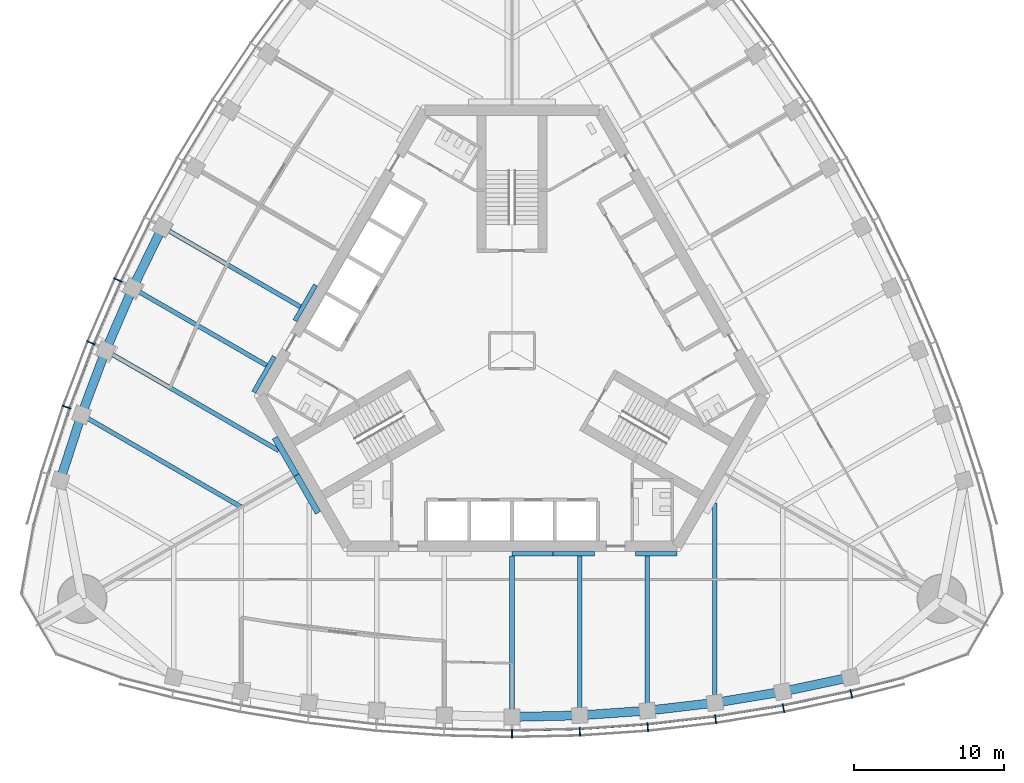
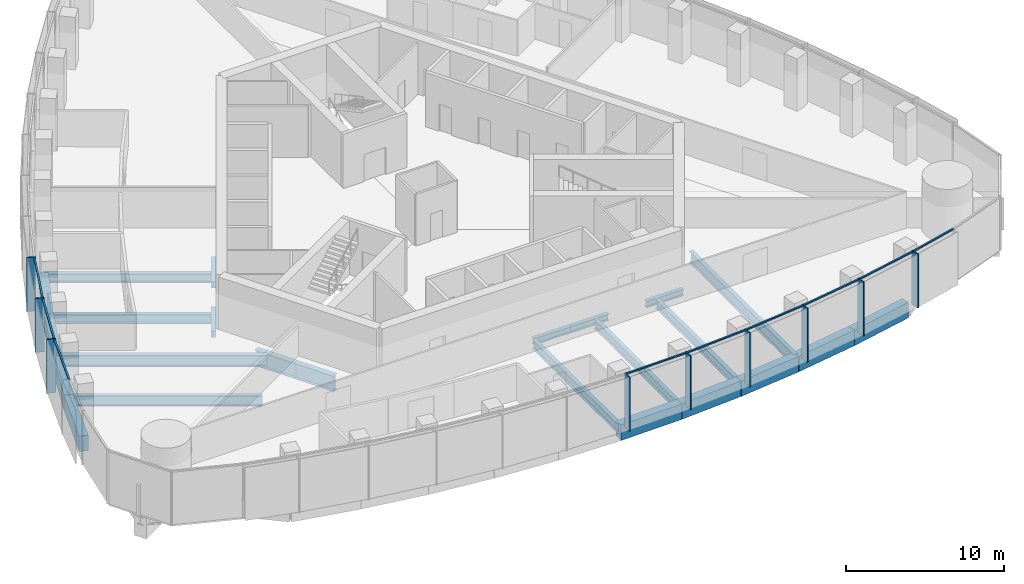
# One storey, part 3 of 19: 24 beams, 18 members, 2 elements without a shape of their own.
"""IFC4 building model written with IfcOpenShell, lengths in metres."""

from ifc_helpers import new_model, si_unit, direction, frame, origin, origin_2d, place, context, subcontext, project, spatial, rectangle, i_section, extrude, material, material_profile, profile_set, type_object, element, aggregate, save


model = new_model("IFC4")

# Units and contexts
model_context = context("Model", 3, precision=1e-05, world=origin(), true_north=direction((0.0, 1.0)))
body_context = subcontext(model_context, "Body", "Model", "MODEL_VIEW")
ifc_project = project(units=[si_unit("LENGTHUNIT", "METRE"), si_unit("AREAUNIT", "SQUARE_METRE"), si_unit("VOLUMEUNIT", "CUBIC_METRE"), si_unit("PLANEANGLEUNIT", "RADIAN"), si_unit("MASSUNIT", "GRAM", prefix="KILO")], contexts=[model_context])

# Site, building, storey
site_placement = place(None, origin())
site = spatial("IfcSite", under=ifc_project, at=site_placement, CompositionType="ELEMENT")
building_placement = place(site_placement, origin())
building = spatial("IfcBuilding", under=site, at=building_placement, Name="Trefoil Bronze Tower", CompositionType="ELEMENT")
storey_placement = place(building_placement, frame((0.0, 0.0, 227.5)))
storey = spatial("IfcBuildingStorey", under=building, at=storey_placement, Name="L52", CompositionType="ELEMENT", Elevation=227.5)

# Curtain wall, members
ifc_material_1 = material(Name="Tinted solar-control glass", Category="glass")
curtain_wall_type = type_object("IfcCurtainWallType", Name="Bronze office curtain wall", PredefinedType="USERDEFINED", material=ifc_material_1)
curtain_wall_1_placement = place(storey_placement, origin())
curtain_wall_1 = element("IfcCurtainWall", 1, at=curtain_wall_1_placement, inside=storey, type_object=curtain_wall_type, Name="CW-A L52 F1", ObjectType="CURTAIN WALL", PredefinedType="USERDEFINED")
ifc_material_2 = material(Name="Bronze-finish aluminium", Category="aluminium")
ifc_material_profile_1 = material_profile(ifc_material_2, rectangle(XDim=0.60009765625, YDim=0.080078125, at=origin_2d()), Name="CW-A mullion")
ifc_profile_set_1 = profile_set([ifc_material_profile_1], Name="Bronze-finish aluminium")
member_type_1 = type_object("IfcMemberType", Name="Bronze office curtain wall mullion", PredefinedType="MULLION", material=ifc_profile_set_1)
member_1_placement = place(storey_placement, frame((0.0, -25.45068359375, 0.0), z_axis=(0.0, 0.0, 1.0), x_axis=(0.0, 1.0, 0.0)))
member_1 = element("IfcMember", 2, at=member_1_placement, type_object=member_type_1, Name="CW-A L52 F1 mullion 7", PredefinedType="MULLION", context=body_context, shape_type="SweptSolid", body=[
    extrude(rectangle(XDim=0.60009765625, YDim=0.080078125, at=origin_2d()), origin(), (0.0, 0.0, 1.0), 4.179931640625),
])
member_2_placement = place(storey_placement, frame((4.513671875, -25.346923828125, 0.0), z_axis=(0.0, 0.0, 1.0), x_axis=(-0.045955542372, 0.998943485952, 0.0)))
member_2 = element("IfcMember", 3, at=member_2_placement, type_object=member_type_1, Name="CW-A L52 F1 mullion 8", PredefinedType="MULLION", context=body_context, shape_type="SweptSolid", body=[
    extrude(rectangle(XDim=0.60009765625, YDim=0.080078125, at=origin_2d()), origin(), (0.0, 0.0, 1.0), 4.179931640625),
])
member_3_placement = place(storey_placement, frame((9.027587890625, -25.03515625, 0.0), z_axis=(0.0, 0.0, 1.0), x_axis=(-0.091911396394, 0.995767189263, 0.0)))
member_3 = element("IfcMember", 4, at=member_3_placement, type_object=member_type_1, Name="CW-A L52 F1 mullion 9", PredefinedType="MULLION", context=body_context, shape_type="SweptSolid", body=[
    extrude(rectangle(XDim=0.60009765625, YDim=0.080078125, at=origin_2d()), origin(), (0.0, 0.0, 1.0), 4.179931640625),
])
member_4_placement = place(storey_placement, frame((13.541259765625, -24.51318359375, 0.0), z_axis=(0.0, 0.0, 1.0), x_axis=(-0.137867887204, 0.990450627582, 0.0)))
member_4 = element("IfcMember", 5, at=member_4_placement, type_object=member_type_1, Name="CW-A L52 F1 mullion 10", PredefinedType="MULLION", context=body_context, shape_type="SweptSolid", body=[
    extrude(rectangle(XDim=0.60009765625, YDim=0.080078125, at=origin_2d()), origin(), (0.0, 0.0, 1.0), 4.179931640625),
])
member_5_placement = place(storey_placement, frame((18.05517578125, -23.77783203125, 0.0), z_axis=(0.0, 0.0, 1.0), x_axis=(-0.183825368167, 0.982958917767, 0.0)))
member_5 = element("IfcMember", 6, at=member_5_placement, type_object=member_type_1, Name="CW-A L52 F1 mullion 11", PredefinedType="MULLION", context=body_context, shape_type="SweptSolid", body=[
    extrude(rectangle(XDim=0.60009765625, YDim=0.080078125, at=origin_2d()), origin(), (0.0, 0.0, 1.0), 4.179931640625),
])
member_6_placement = place(storey_placement, frame((22.568115234375, -22.82421875, 0.0), z_axis=(0.0, 0.0, 1.0), x_axis=(-0.227082662569, 0.973875487093, 0.0)))
member_6 = element("IfcMember", 7, at=member_6_placement, type_object=member_type_1, Name="CW-A L52 F1 mullion 12", PredefinedType="MULLION", context=body_context, shape_type="SweptSolid", body=[
    extrude(rectangle(XDim=0.60009765625, YDim=0.080078125, at=origin_2d()), origin(), (0.0, 0.0, 1.0), 4.179931640625),
])

curtain_wall_2_placement = place(storey_placement, origin())
curtain_wall_2 = element("IfcCurtainWall", 8, at=curtain_wall_2_placement, inside=storey, type_object=curtain_wall_type, Name="CW-A L52 F3", ObjectType="CURTAIN WALL", PredefinedType="USERDEFINED")
member_7_placement = place(storey_placement, frame((-26.19482421875, 4.699462890625, 0.0), z_axis=(0.0, 0.0, 1.0), x_axis=(0.908315380354, -0.418285990457, 0.0)))
member_7 = element("IfcMember", 9, at=member_7_placement, type_object=member_type_1, Name="CW-A L52 F3 mullion 9", PredefinedType="MULLION", context=body_context, shape_type="SweptSolid", body=[
    extrude(rectangle(XDim=0.60009765625, YDim=0.080078125, at=origin_2d()), origin(), (0.0, 0.0, 1.0), 4.179931640625),
])
member_8_placement = place(storey_placement, frame((-27.999755859375, 0.529541015625, 0.0), z_axis=(0.0, 0.0, 1.0), x_axis=(0.926689348282, -0.375828221106, 0.0)))
member_8 = element("IfcMember", 10, at=member_8_placement, type_object=member_type_1, Name="CW-A L52 F3 mullion 10", PredefinedType="MULLION", context=body_context, shape_type="SweptSolid", body=[
    extrude(rectangle(XDim=0.60009765625, YDim=0.080078125, at=origin_2d()), origin(), (0.0, 0.0, 1.0), 4.179931640625),
])
member_9_placement = place(storey_placement, frame((-29.619873046875, -3.747314453125, 0.0), z_axis=(0.0, 0.0, 1.0), x_axis=(0.943180077746, -0.332282020191, 0.0)))
member_9 = element("IfcMember", 11, at=member_9_placement, type_object=member_type_1, Name="CW-A L52 F3 mullion 11", PredefinedType="MULLION", context=body_context, shape_type="SweptSolid", body=[
    extrude(rectangle(XDim=0.60009765625, YDim=0.080078125, at=origin_2d()), origin(), (0.0, 0.0, 1.0), 4.179931640625),
])

# Member
ifc_material_3 = material(Name="Bronze-finish aluminium", Category="aluminium")
ifc_material_profile_2 = material_profile(ifc_material_3, rectangle(XDim=0.1201171875, YDim=0.10009765625, at=origin_2d()), Name="CW-A transom")
ifc_profile_set_2 = profile_set([ifc_material_profile_2], Name="Bronze-finish aluminium")
member_type_2 = type_object("IfcMemberType", Name="Bronze office curtain wall transom", PredefinedType="USERDEFINED", material=ifc_profile_set_2)
member_10_placement = place(storey_placement, frame((0.042236328125, -25.249755859375, 4.1298828125), z_axis=(0.999736131416, 0.022971015226, 0.0), x_axis=(-0.022971015226, 0.999736131416, 0.0)))
member_10 = element("IfcMember", 12, at=member_10_placement, type_object=member_type_2, Name="CW-A L52 F1 transom 7", ObjectType="TRANSOM", PredefinedType="USERDEFINED", context=body_context, shape_type="SweptSolid", body=[
    extrude(rectangle(XDim=0.1201171875, YDim=0.10009765625, at=origin_2d()), origin(), (0.0, 0.0, 1.0), 4.42138671875),
])

member_11_placement = place(storey_placement, frame((4.546875, -25.144287109375, 4.1298828125), z_axis=(0.997621320987, 0.06893257512, 0.0), x_axis=(-0.06893257512, 0.997621320987, 0.0)))
member_11 = element("IfcMember", 13, at=member_11_placement, type_object=member_type_2, Name="CW-A L52 F1 transom 8", ObjectType="TRANSOM", PredefinedType="USERDEFINED", context=body_context, shape_type="SweptSolid", body=[
    extrude(rectangle(XDim=0.1201171875, YDim=0.10009765625, at=origin_2d()), origin(), (0.0, 0.0, 1.0), 4.4306640625),
])

member_12_placement = place(storey_placement, frame((9.05126953125, -24.8310546875, 4.1298828125), z_axis=(0.993384885596, 0.114832352013, 0.0), x_axis=(-0.114832352013, 0.993384885596, 0.0)))
member_12 = element("IfcMember", 14, at=member_12_placement, type_object=member_type_2, Name="CW-A L52 F1 transom 9", ObjectType="TRANSOM", PredefinedType="USERDEFINED", context=body_context, shape_type="SweptSolid", body=[
    extrude(rectangle(XDim=0.1201171875, YDim=0.10009765625, at=origin_2d()), origin(), (0.0, 0.0, 1.0), 4.449951171875),
])

member_13_placement = place(storey_placement, frame((13.5556640625, -24.308349609375, 4.1298828125), z_axis=(0.986988367046, 0.160791676761, 0.0), x_axis=(-0.160791676761, 0.986988367046, 0.0)))
member_13 = element("IfcMember", 15, at=member_13_placement, type_object=member_type_2, Name="CW-A L52 F1 transom 10", ObjectType="TRANSOM", PredefinedType="USERDEFINED", context=body_context, shape_type="SweptSolid", body=[
    extrude(rectangle(XDim=0.1201171875, YDim=0.10009765625, at=origin_2d()), origin(), (0.0, 0.0, 1.0), 4.479248046875),
])

member_14_placement = place(storey_placement, frame((18.059814453125, -23.572509765625, 4.1298828125), z_axis=(0.978395325657, 0.20674280334, 0.0), x_axis=(-0.20674280334, 0.978395325657, 0.0)))
member_14 = element("IfcMember", 16, at=member_14_placement, type_object=member_type_2, Name="CW-A L52 F1 transom 11", ObjectType="TRANSOM", PredefinedType="USERDEFINED", context=body_context, shape_type="SweptSolid", body=[
    extrude(rectangle(XDim=0.1201171875, YDim=0.10009765625, at=origin_2d()), origin(), (0.0, 0.0, 1.0), 4.519287109375),
])

member_15_placement = place(storey_placement, frame((22.5634765625, -22.618896484375, 4.1298828125), z_axis=(0.968935220916, 0.247314653162, 0.0), x_axis=(-0.247314653162, 0.968935220916, 0.0)))
member_15 = element("IfcMember", 17, at=member_15_placement, type_object=member_type_2, Name="CW-A L52 F1 transom 12", ObjectType="TRANSOM", PredefinedType="USERDEFINED", context=body_context, shape_type="SweptSolid", body=[
    extrude(rectangle(XDim=0.1201171875, YDim=0.10009765625, at=origin_2d()), origin(), (0.0, 0.0, 1.0), 3.483642578125),
])

aggregate(curtain_wall_1, [member_1, member_2, member_3, member_4, member_5, member_6, member_10, member_11, member_12, member_13, member_14, member_15])

member_16_placement = place(storey_placement, frame((-26.030029296875, 4.576904296875, 4.1298828125), z_axis=(-0.397220936772, -0.917723012346, 0.0), x_axis=(0.917723012346, -0.397220936772, 0.0)))
member_16 = element("IfcMember", 18, at=member_16_placement, type_object=member_type_2, Name="CW-A L52 F3 transom 9", ObjectType="TRANSOM", PredefinedType="USERDEFINED", context=body_context, shape_type="SweptSolid", body=[
    extrude(rectangle(XDim=0.1201171875, YDim=0.10009765625, at=origin_2d()), origin(), (0.0, 0.0, 1.0), 4.449951171875),
])

member_17_placement = place(storey_placement, frame((-27.829345703125, 0.414794921875, 4.1298828125), z_axis=(-0.354263170896, -0.935145767112, 0.0), x_axis=(0.935145767112, -0.354263170896, 0.0)))
member_17 = element("IfcMember", 19, at=member_17_placement, type_object=member_type_2, Name="CW-A L52 F3 transom 10", ObjectType="TRANSOM", PredefinedType="USERDEFINED", context=body_context, shape_type="SweptSolid", body=[
    extrude(rectangle(XDim=0.1201171875, YDim=0.10009765625, at=origin_2d()), origin(), (0.0, 0.0, 1.0), 4.4794921875),
])

member_18_placement = place(storey_placement, frame((-29.4443359375, -3.85400390625, 4.1298828125), z_axis=(-0.310127806788, -0.950694874004, 0.0), x_axis=(0.950694874004, -0.310127806788, 0.0)))
member_18 = element("IfcMember", 20, at=member_18_placement, type_object=member_type_2, Name="CW-A L52 F3 transom 11", ObjectType="TRANSOM", PredefinedType="USERDEFINED", context=body_context, shape_type="SweptSolid", body=[
    extrude(rectangle(XDim=0.1201171875, YDim=0.10009765625, at=origin_2d()), origin(), (0.0, 0.0, 1.0), 4.51953125),
])

aggregate(curtain_wall_2, [member_7, member_8, member_9, member_16, member_17, member_18])

# Beams
ifc_material_4 = material(Name="Steel C355", Category="steel")
ifc_material_profile_3 = material_profile(ifc_material_4, i_section(OverallWidth=0.300048828125, OverallDepth=0.5, WebThickness=0.014404296875, FlangeThickness=0.028076171875, FilletRadius=0.027099609375, at=origin_2d()), Name="HEB 500")
ifc_profile_set_3 = profile_set([ifc_material_profile_3], Name="Steel C355")
beam_type_1 = type_object("IfcBeamType", Name="Core seat beam HEB 500", PredefinedType="BEAM", material=ifc_profile_set_3)
for number, where, z_axis, x_axis, name in (
    (21, (0.0, -13.5, -0.449951171875), (1.0, 0.0, 0.0), (0.0, 1.0, 0.0), "Core seat beam F1/+0 L52"),
    (22, (2.742431640625, -13.5, -0.449951171875), (1.0, 0.0, 0.0), (0.0, 1.0, 0.0), "Core seat beam F1/+1 L52"),
    (23, (8.227294921875, -13.5, -0.449951171875), (1.0, 0.0, 0.0), (0.0, 1.0, 0.0), "Core seat beam F1/+2 L52"),
    (24, (-13.0625, 4.375, -0.449951171875), (-0.500035825175, -0.866004719122, 0.0), (0.866004719122, -0.500035825175, 0.0), "Core seat beam F3/+1 L52"),
    (25, (-15.804931640625, -0.375, -0.449951171875), (-0.500035825175, -0.866004719122, 0.0), (0.866004719122, -0.500035825175, 0.0), "Core seat beam F3/+2 L52"),
):
    element("IfcBeam", number, at=place(storey_placement, frame(where, z_axis=z_axis, x_axis=x_axis)), inside=storey, type_object=beam_type_1, Name=name, PredefinedType="BEAM", context=body_context, shape_type="SweptSolid", body=[
        extrude(i_section(OverallWidth=0.300048828125, OverallDepth=0.5, WebThickness=0.014404296875, FlangeThickness=0.028076171875, FilletRadius=0.027099609375, at=origin_2d()), origin(), (0.0, 0.0, 1.0), 2.742431640625),
    ])
ifc_material_5 = material(Name="Steel C355", Category="steel")
ifc_material_profile_4 = material_profile(ifc_material_5, i_section(OverallWidth=0.39990234375, OverallDepth=1.199951171875, WebThickness=0.02001953125, FlangeThickness=0.0400390625, FilletRadius=0.010009765625, at=origin_2d()), Name="WPG 1200")
ifc_profile_set_4 = profile_set([ifc_material_profile_4], Name="Steel C355")
beam_type_2 = type_object("IfcBeamType", Name="Core seat beam WPG 1200", PredefinedType="BEAM", material=ifc_profile_set_4)
for number, where, z_axis, x_axis, name in (
    (26, (-14.332763671875, -8.27490234375, -0.800048828125), (0.499995765644, -0.866027848477, 0.0), (0.866027848477, 0.499995765644, 0.0), "Core seat beam F1/-3 L52"),
    (27, (-15.776123046875, -5.77490234375, -0.800048828125), (0.499995765644, -0.866027848477, 0.0), (0.866027848477, 0.499995765644, 0.0), "Core seat beam F3/+3 L52"),
):
    element("IfcBeam", number, at=place(storey_placement, frame(where, z_axis=z_axis, x_axis=x_axis)), inside=storey, type_object=beam_type_2, Name=name, PredefinedType="BEAM", context=body_context, shape_type="SweptSolid", body=[
        extrude(i_section(OverallWidth=0.39990234375, OverallDepth=1.199951171875, WebThickness=0.02001953125, FlangeThickness=0.0400390625, FilletRadius=0.010009765625, at=origin_2d()), origin(), (0.0, 0.0, 1.0), 2.88671875),
    ])
ifc_material_6 = material(Name="Steel C355", Category="steel")
ifc_material_profile_5 = material_profile(ifc_material_6, i_section(OverallWidth=0.300048828125, OverallDepth=0.699951171875, WebThickness=0.01708984375, FlangeThickness=0.031982421875, FilletRadius=0.027099609375, at=origin_2d()), Name="HEB 700")
ifc_profile_set_5 = profile_set([ifc_material_profile_5], Name="Steel C355")
beam_type_3 = type_object("IfcBeamType", Name="Floor beam HEB 700", PredefinedType="BEAM", material=ifc_profile_set_5)
beam_1_placement = place(storey_placement, frame((0.0, -24.3505859375, -0.550048828125), z_axis=(0.0, 1.0, 0.0), x_axis=(-1.0, 0.0, 0.0)))
element("IfcBeam", 28, at=beam_1_placement, inside=storey, type_object=beam_type_3, Name="Floor beam F1/+0 L52", PredefinedType="BEAM", context=body_context, shape_type="SweptSolid", body=[
    extrude(i_section(OverallWidth=0.300048828125, OverallDepth=0.699951171875, WebThickness=0.01708984375, FlangeThickness=0.031982421875, FilletRadius=0.027099609375, at=origin_2d()), origin(), (0.0, 0.0, 1.0), 10.70068359375),
])
beam_2_placement = place(storey_placement, frame((4.5, -24.246337890625, -0.550048828125), z_axis=(0.0, 1.0, 0.0), x_axis=(-1.0, 0.0, 0.0)))
element("IfcBeam", 29, at=beam_2_placement, inside=storey, type_object=beam_type_3, Name="Floor beam F1/+1 L52", PredefinedType="BEAM", context=body_context, shape_type="SweptSolid", body=[
    extrude(i_section(OverallWidth=0.300048828125, OverallDepth=0.699951171875, WebThickness=0.01708984375, FlangeThickness=0.031982421875, FilletRadius=0.027099609375, at=origin_2d()), origin(), (0.0, 0.0, 1.0), 10.596435546875),
])
beam_3_placement = place(storey_placement, frame((9.0, -23.932861328125, -0.550048828125), z_axis=(0.0, 1.0, 0.0), x_axis=(-1.0, 0.0, 0.0)))
element("IfcBeam", 30, at=beam_3_placement, inside=storey, type_object=beam_type_3, Name="Floor beam F1/+2 L52", PredefinedType="BEAM", context=body_context, shape_type="SweptSolid", body=[
    extrude(i_section(OverallWidth=0.300048828125, OverallDepth=0.699951171875, WebThickness=0.01708984375, FlangeThickness=0.031982421875, FilletRadius=0.027099609375, at=origin_2d()), origin(), (0.0, 0.0, 1.0), 10.282958984375),
])
beam_4_placement = place(storey_placement, frame((-23.248046875, 8.22607421875, -0.550048828125), z_axis=(0.86602981261, -0.499992363612, 0.0), x_axis=(0.499992363612, 0.86602981261, 0.0)))
element("IfcBeam", 31, at=beam_4_placement, inside=storey, type_object=beam_type_3, Name="Floor beam F3/+1 L52", PredefinedType="BEAM", context=body_context, shape_type="SweptSolid", body=[
    extrude(i_section(OverallWidth=0.300048828125, OverallDepth=0.699951171875, WebThickness=0.01708984375, FlangeThickness=0.031982421875, FilletRadius=0.027099609375, at=origin_2d()), origin(), (0.0, 0.0, 1.0), 10.596435546875),
])
beam_5_placement = place(storey_placement, frame((-25.2265625, 4.17236328125, -0.550048828125), z_axis=(0.866019527493, -0.500010177898, 0.0), x_axis=(0.500010177898, 0.866019527493, 0.0)))
element("IfcBeam", 32, at=beam_5_placement, inside=storey, type_object=beam_type_3, Name="Floor beam F3/+2 L52", PredefinedType="BEAM", context=body_context, shape_type="SweptSolid", body=[
    extrude(i_section(OverallWidth=0.300048828125, OverallDepth=0.699951171875, WebThickness=0.01708984375, FlangeThickness=0.031982421875, FilletRadius=0.027099609375, at=origin_2d()), origin(), (0.0, 0.0, 1.0), 10.282958984375),
])
ifc_material_7 = material(Name="Steel C355", Category="steel")
ifc_material_profile_6 = material_profile(ifc_material_7, i_section(OverallWidth=0.300048828125, OverallDepth=0.800048828125, WebThickness=0.017578125, FlangeThickness=0.032958984375, FilletRadius=0.030029296875, at=origin_2d()), Name="HEB 800")
ifc_profile_set_6 = profile_set([ifc_material_profile_6], Name="Steel C355")
beam_type_4 = type_object("IfcBeamType", Name="Floor beam HEB 800", PredefinedType="BEAM", material=ifc_profile_set_6)
beam_6_placement = place(storey_placement, frame((-28.632080078125, -4.25390625, -0.60009765625), z_axis=(0.866025635187, -0.499999599199, 0.0), x_axis=(0.499999599199, 0.866025635187, 0.0)))
element("IfcBeam", 33, at=beam_6_placement, inside=storey, type_object=beam_type_4, Name="Floor beam F3/+4 L52", PredefinedType="BEAM", context=body_context, shape_type="SweptSolid", body=[
    extrude(i_section(OverallWidth=0.300048828125, OverallDepth=0.800048828125, WebThickness=0.017578125, FlangeThickness=0.032958984375, FilletRadius=0.030029296875, at=origin_2d()), origin(), (0.0, 0.0, 1.0), 12.27685546875),
])
ifc_material_8 = material(Name="Steel C355", Category="steel")
ifc_material_profile_7 = material_profile(ifc_material_8, i_section(OverallWidth=0.300048828125, OverallDepth=0.89990234375, WebThickness=0.0185546875, FlangeThickness=0.034912109375, FilletRadius=0.030029296875, at=origin_2d()), Name="HEB 900")
ifc_profile_set_7 = profile_set([ifc_material_profile_7], Name="Steel C355")
beam_type_5 = type_object("IfcBeamType", Name="Floor beam HEB 900", PredefinedType="BEAM", material=ifc_profile_set_7)
for number, where, z_axis, x_axis, name in (
    (34, (13.5, -23.408447265625, -0.64990234375), (0.0, 1.0, 0.0), (-1.0, 0.0, 0.0), "Floor beam F1/+3 L52"),
    (35, (-27.022216796875, 0.012939453125, -0.64990234375), (0.866023461342, -0.500003364394, 0.0), (0.500003364394, 0.866023461342, 0.0), "Floor beam F3/+3 L52"),
):
    element("IfcBeam", number, at=place(storey_placement, frame(where, z_axis=z_axis, x_axis=x_axis)), inside=storey, type_object=beam_type_5, Name=name, PredefinedType="BEAM", context=body_context, shape_type="SweptSolid", body=[
        extrude(i_section(OverallWidth=0.300048828125, OverallDepth=0.89990234375, WebThickness=0.0185546875, FlangeThickness=0.034912109375, FilletRadius=0.030029296875, at=origin_2d()), origin(), (0.0, 0.0, 1.0), 13.291015625),
    ])
ifc_material_9 = material(Name="Concrete B80", Category="concrete")
ifc_material_profile_8 = material_profile(ifc_material_9, rectangle(XDim=0.60009765625, YDim=1.199951171875, at=origin_2d()), Name="RC 600x1200")
ifc_profile_set_8 = profile_set([ifc_material_profile_8], Name="Concrete B80")
beam_type_6 = type_object("IfcBeamType", Name="Spandrel beam RC 600x1200", PredefinedType="SPANDREL", material=ifc_profile_set_8)
beam_7_placement = place(storey_placement, frame((0.0, -24.3505859375, -0.800048828125), z_axis=(0.999731770792, 0.023160018779, 0.0), x_axis=(-0.023160018779, 0.999731770792, 0.0)))
element("IfcBeam", 36, at=beam_7_placement, inside=storey, type_object=beam_type_6, Name="Spandrel F1.7 L52", PredefinedType="SPANDREL", context=body_context, shape_type="SweptSolid", body=[
    extrude(rectangle(XDim=0.60009765625, YDim=1.199951171875, at=origin_2d()), origin(), (0.0, 0.0, 1.0), 4.501220703125),
])
beam_8_placement = place(storey_placement, frame((4.5, -24.246337890625, -0.800048828125), z_axis=(0.997582435881, 0.069493047291, 0.0), x_axis=(-0.069493047291, 0.997582435881, 0.0)))
element("IfcBeam", 37, at=beam_8_placement, inside=storey, type_object=beam_type_6, Name="Spandrel F1.8 L52", PredefinedType="SPANDREL", context=body_context, shape_type="SweptSolid", body=[
    extrude(rectangle(XDim=0.60009765625, YDim=1.199951171875, at=origin_2d()), origin(), (0.0, 0.0, 1.0), 4.510986328125),
])
beam_9_placement = place(storey_placement, frame((9.0, -23.932861328125, -0.800048828125), z_axis=(0.993278017132, 0.115753102257, 0.0), x_axis=(-0.115753102257, 0.993278017132, 0.0)))
element("IfcBeam", 38, at=beam_9_placement, inside=storey, type_object=beam_type_6, Name="Spandrel F1.9 L52", PredefinedType="SPANDREL", context=body_context, shape_type="SweptSolid", body=[
    extrude(rectangle(XDim=0.60009765625, YDim=1.199951171875, at=origin_2d()), origin(), (0.0, 0.0, 1.0), 4.530517578125),
])
beam_10_placement = place(storey_placement, frame((13.5, -23.408447265625, -0.800048828125), z_axis=(0.986764681833, 0.162158757664, 0.0), x_axis=(-0.162158757664, 0.986764681833, 0.0)))
element("IfcBeam", 39, at=beam_10_placement, inside=storey, type_object=beam_type_6, Name="Spandrel F1.10 L52", PredefinedType="SPANDREL", context=body_context, shape_type="SweptSolid", body=[
    extrude(rectangle(XDim=0.60009765625, YDim=1.199951171875, at=origin_2d()), origin(), (0.0, 0.0, 1.0), 4.560302734375),
])
beam_11_placement = place(storey_placement, frame((18.0, -22.6689453125, -0.800048828125), z_axis=(0.978059483036, 0.208325820877, 0.0), x_axis=(-0.208325820877, 0.978059483036, 0.0)))
element("IfcBeam", 40, at=beam_11_placement, inside=storey, type_object=beam_type_6, Name="Spandrel F1.11 L52", PredefinedType="SPANDREL", context=body_context, shape_type="SweptSolid", body=[
    extrude(rectangle(XDim=0.60009765625, YDim=1.199951171875, at=origin_2d()), origin(), (0.0, 0.0, 1.0), 4.600830078125),
])
beam_12_placement = place(storey_placement, frame((-23.248046875, 8.22607421875, -0.800048828125), z_axis=(-0.438619830351, -0.898672712629, 0.0), x_axis=(0.898672712629, -0.438619830351, 0.0)))
element("IfcBeam", 41, at=beam_12_placement, inside=storey, type_object=beam_type_6, Name="Spandrel F3.8 L52", PredefinedType="SPANDREL", context=body_context, shape_type="SweptSolid", body=[
    extrude(rectangle(XDim=0.60009765625, YDim=1.199951171875, at=origin_2d()), origin(), (0.0, 0.0, 1.0), 4.5107421875),
])
beam_13_placement = place(storey_placement, frame((-25.2265625, 4.17236328125, -0.800048828125), z_axis=(-0.396350337164, -0.918099346602, 0.0), x_axis=(0.918099346602, -0.396350337164, 0.0)))
element("IfcBeam", 42, at=beam_13_placement, inside=storey, type_object=beam_type_6, Name="Spandrel F3.9 L52", PredefinedType="SPANDREL", context=body_context, shape_type="SweptSolid", body=[
    extrude(rectangle(XDim=0.60009765625, YDim=1.199951171875, at=origin_2d()), origin(), (0.0, 0.0, 1.0), 4.530517578125),
])
beam_14_placement = place(storey_placement, frame((-27.022216796875, 0.012939453125, -0.800048828125), z_axis=(-0.353005969632, -0.935621069346, 0.0), x_axis=(0.935621069346, -0.353005969632, 0.0)))
element("IfcBeam", 43, at=beam_14_placement, inside=storey, type_object=beam_type_6, Name="Spandrel F3.10 L52", PredefinedType="SPANDREL", context=body_context, shape_type="SweptSolid", body=[
    extrude(rectangle(XDim=0.60009765625, YDim=1.199951171875, at=origin_2d()), origin(), (0.0, 0.0, 1.0), 4.560546875),
])
beam_15_placement = place(storey_placement, frame((-28.632080078125, -4.25390625, -0.800048828125), z_axis=(-0.308608505504, -0.951189145402, 0.0), x_axis=(0.951189145402, -0.308608505504, 0.0)))
element("IfcBeam", 44, at=beam_15_placement, inside=storey, type_object=beam_type_6, Name="Spandrel F3.11 L52", PredefinedType="SPANDREL", context=body_context, shape_type="SweptSolid", body=[
    extrude(rectangle(XDim=0.60009765625, YDim=1.199951171875, at=origin_2d()), origin(), (0.0, 0.0, 1.0), 4.60107421875),
])

save(model, "model.ifc")
